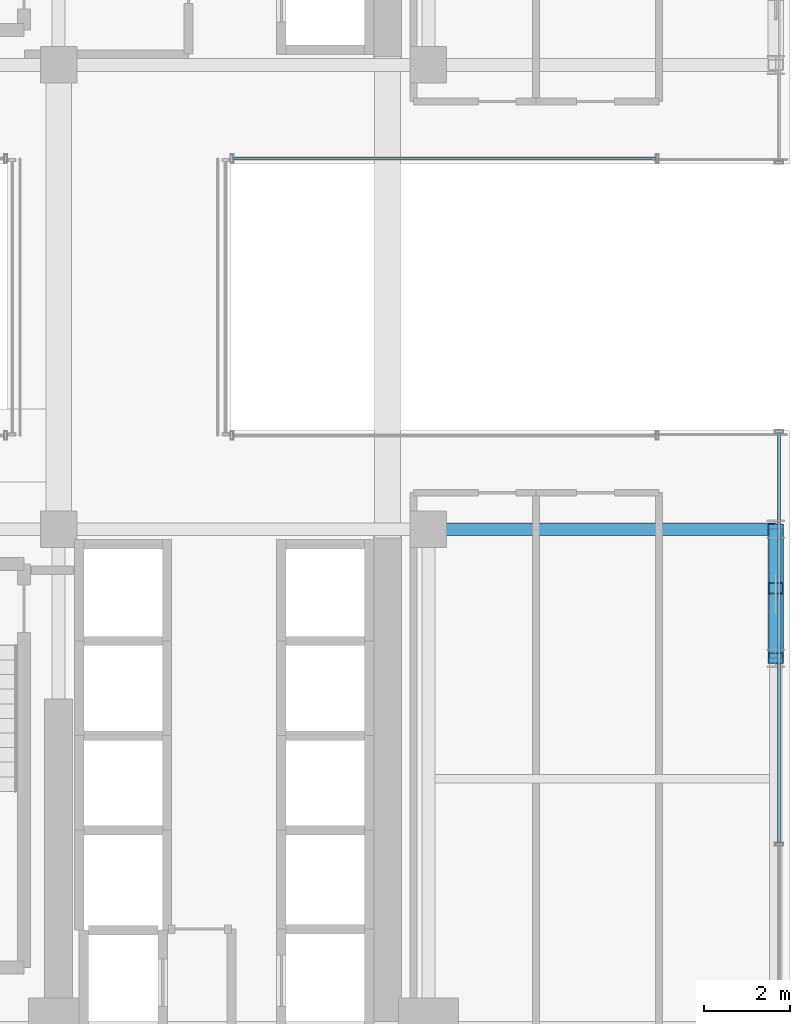
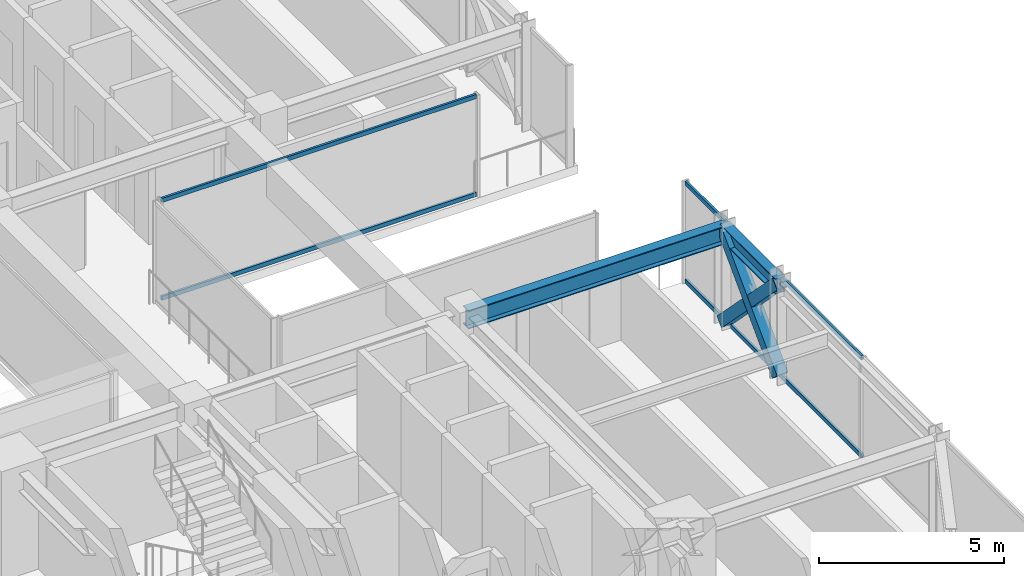
# One storey, part 22 of 42: 7 members, 2 beams, 2 elements without a shape of their own.
"""IFC4 building model written with IfcOpenShell, lengths in metres."""

from ifc_helpers import new_model, si_unit, direction, frame, origin, origin_2d, place, context, subcontext, project, spatial, hollow_rectangle, i_section, extrude, source, transform, mapped, material, material_profile, profile_set, type_object, element, aggregate, save


model = new_model("IFC4")

# Units and contexts
model_context = context("Model", 3, precision=1e-05, world=origin(), true_north=direction((0.0, 1.0)))
body_context = subcontext(model_context, "Body", "Model", "MODEL_VIEW")
ifc_project = project(units=[si_unit("LENGTHUNIT", "METRE"), si_unit("AREAUNIT", "SQUARE_METRE"), si_unit("VOLUMEUNIT", "CUBIC_METRE"), si_unit("PLANEANGLEUNIT", "RADIAN"), si_unit("MASSUNIT", "GRAM", prefix="KILO")], contexts=[model_context])

# Site, building, storey
site_placement = place(None, origin())
site = spatial("IfcSite", under=ifc_project, at=site_placement, CompositionType="ELEMENT")
building_placement = place(site_placement, origin())
building = spatial("IfcBuilding", under=site, at=building_placement, Name="Nahalor Promenade Grand Hotel", CompositionType="ELEMENT")
storey_placement = place(building_placement, frame((0.0, 0.0, 61.60009765625)))
storey = spatial("IfcBuildingStorey", under=building, at=storey_placement, Name="L14", CompositionType="ELEMENT", Elevation=61.60009765625)

# Beams
ifc_material_1 = material(Name="Steel S355JR", Category="steel")
ifc_material_profile_1 = material_profile(ifc_material_1, i_section(OverallWidth=0.3, OverallDepth=0.5, WebThickness=0.0145, FlangeThickness=0.028, at=origin_2d()), Name="HEB 500")
ifc_profile_set_1 = profile_set([ifc_material_profile_1], Name="Steel S355JR")
beam_type_1 = type_object("IfcBeamType", Name="Beam-Spandrel-HEB500", PredefinedType="SPANDREL", material=ifc_profile_set_1)
shared_shape_1 = source(origin(), body_context, "Body", "SweptSolid", [
    extrude(i_section(OverallWidth=0.3, OverallDepth=0.5, WebThickness=0.0145, FlangeThickness=0.028, at=origin_2d()), origin(), (0.0, 0.0, 1.0), 3.0),
])
beam_1_placement = place(storey_placement, frame((25.080078125, -8.39990234375, 3.119873046875), z_axis=(0.0, 1.0, 0.0), x_axis=(-1.0, 0.0, 0.0)))
element("IfcBeam", 1, at=beam_1_placement, inside=storey, type_object=beam_type_1, Name="BM-L14-SP-E-1", PredefinedType="SPANDREL", context=body_context, shape_type="MappedRepresentation", body=[
    mapped(shared_shape_1, transform((0.0, 0.0, 0.0), scale=1.0)),
])
ifc_material_profile_2 = material_profile(ifc_material_1, i_section(OverallWidth=0.3, OverallDepth=0.6, WebThickness=0.0155, FlangeThickness=0.03, at=origin_2d()), Name="HEB 600")
ifc_profile_set_2 = profile_set([ifc_material_profile_2], Name="Steel S355JR")
beam_type_2 = type_object("IfcBeamType", Name="Beam-Girder-HEB600", PredefinedType="BEAM", material=ifc_profile_set_2)
shared_shape_2 = source(origin(), body_context, "Body", "SweptSolid", [
    extrude(i_section(OverallWidth=0.3, OverallDepth=0.6, WebThickness=0.0155, FlangeThickness=0.03, at=origin_2d()), origin(), (0.0, 0.0, 1.0), 8.080078125),
])
beam_2_placement = place(storey_placement, frame((17.0, -5.39990234375, 3.06982421875), z_axis=(1.0, 0.0, 0.0), x_axis=(0.0, 1.0, 0.0)))
element("IfcBeam", 2, at=beam_2_placement, inside=storey, type_object=beam_type_2, Name="BM-L14-GX-1-6", PredefinedType="BEAM", context=body_context, shape_type="MappedRepresentation", body=[
    mapped(shared_shape_2, transform((0.0, 0.0, 0.0), scale=1.0)),
])

# Members
ifc_material_profile_3 = material_profile(ifc_material_1, hollow_rectangle(XDim=0.35, YDim=0.35, WallThickness=0.02, at=origin_2d()), Name="SHS 350x350x20")
ifc_profile_set_3 = profile_set([ifc_material_profile_3], Name="Steel S355JR")
member_type_1 = type_object("IfcMemberType", Name="Mem-VoidBrace-SHS350", PredefinedType="BRACE", material=ifc_profile_set_3)
shared_shape_3 = source(origin(), body_context, "Body", "SweptSolid", [
    extrude(hollow_rectangle(XDim=0.35, YDim=0.35, WallThickness=0.02, at=origin_2d()), origin(), (0.0, 0.0, 1.0), 4.29248046875),
])
member_1_placement = place(storey_placement, frame((25.080078125, -8.39990234375, 0.14990234375), z_axis=(0.0, 0.698897904453, 0.715221447631), x_axis=(-1.0, 0.0, 0.0)))
element("IfcMember", 3, at=member_1_placement, inside=storey, type_object=member_type_1, Name="EXO-L14-VX1-E0", PredefinedType="BRACE", context=body_context, shape_type="MappedRepresentation", body=[
    mapped(shared_shape_3, transform((0.0, 0.0, 0.0), scale=1.0)),
])
shared_shape_4 = source(origin(), body_context, "Body", "SweptSolid", [
    extrude(hollow_rectangle(XDim=0.35, YDim=0.35, WallThickness=0.02, at=origin_2d()), origin(), (0.0, 0.0, 1.0), 1.959228515625),
])
for number, where, z_axis, x_axis, name in (
    (4, (25.080078125, -5.39990234375, 0.14990234375), (0.0, -0.698960471031, 0.715160303663), (1.0, 0.0, 0.0), "EXO-L14-VX2-E0A"),
    (5, (25.080078125, -7.03076171875, 1.818603515625), (0.0, -0.698834435327, 0.715283462692), (1.0, 0.0, 0.0), "EXO-L14-VX2-E0B"),
):
    element("IfcMember", number, at=place(storey_placement, frame(where, z_axis=z_axis, x_axis=x_axis)), inside=storey, type_object=member_type_1, Name=name, PredefinedType="BRACE", context=body_context, shape_type="MappedRepresentation", body=[
        mapped(shared_shape_4, transform((0.0, 0.0, 0.0), scale=1.0)),
    ])

# Curtain wall, members
ifc_material_2 = material(Name="Anodised Bronze Aluminium EN AW-6063 T6", Category="aluminium")
curtain_wall_type = type_object("IfcCurtainWallType", Name="CW3 Elliptical-Void Collar Unitised Curtain Wall", PredefinedType="USERDEFINED", material=ifc_material_2)
curtain_wall_1_placement = place(storey_placement, origin())
curtain_wall_1 = element("IfcCurtainWall", 6, at=curtain_wall_1_placement, inside=storey, type_object=curtain_wall_type, Name="L14 Curtain Wall CW-L14-VOID-EN1", ObjectType="UNITISED_CURTAIN_WALL", PredefinedType="USERDEFINED")
ifc_material_profile_4 = material_profile(ifc_material_2, hollow_rectangle(XDim=0.07, YDim=0.14, WallThickness=0.004, at=origin_2d()), Name="CWT 70x140x4")
ifc_profile_set_4 = profile_set([ifc_material_profile_4], Name="Anodised Bronze Aluminium EN AW-6063 T6")
member_type_2 = type_object("IfcMemberType", Name="CWT3 Void Collar Transom 70x140", PredefinedType="USERDEFINED", material=ifc_profile_set_4)
shared_shape_5 = source(origin(), body_context, "Body", "SweptSolid", [
    extrude(hollow_rectangle(XDim=0.07, YDim=0.14, WallThickness=0.004, at=origin_2d()), origin(), (0.0, 0.0, 1.0), 9.820068359375),
])
member_2_placement = place(storey_placement, frame((12.469970703125, 3.219970703125, 0.06982421875), z_axis=(1.0, 0.0, 0.0), x_axis=(0.0, 1.0, 0.0)))
member_2 = element("IfcMember", 7, at=member_2_placement, type_object=member_type_2, Name="CW-L14-VOID-EN1 Transom 0-0", ObjectType="TRANSOM", PredefinedType="USERDEFINED", context=body_context, shape_type="MappedRepresentation", body=[
    mapped(shared_shape_5, transform((0.0, 0.0, 0.0), scale=1.0)),
])
member_3_placement = place(storey_placement, frame((12.469970703125, 3.219970703125, 3.2998046875), z_axis=(1.0, 0.0, 0.0), x_axis=(0.0, 1.0, 0.0)))
member_3 = element("IfcMember", 8, at=member_3_placement, type_object=member_type_2, Name="CW-L14-VOID-EN1 Transom 0-1", ObjectType="TRANSOM", PredefinedType="USERDEFINED", context=body_context, shape_type="MappedRepresentation", body=[
    mapped(shared_shape_5, transform((0.0, 0.0, 0.0), scale=1.0)),
])
aggregate(curtain_wall_1, [member_2, member_3])

curtain_wall_2_placement = place(storey_placement, origin())
curtain_wall_2 = element("IfcCurtainWall", 9, at=curtain_wall_2_placement, inside=storey, type_object=curtain_wall_type, Name="L14 Curtain Wall CW-L14-E-1", ObjectType="UNITISED_CURTAIN_WALL", PredefinedType="USERDEFINED")
shared_shape_6 = source(origin(), body_context, "Body", "SweptSolid", [
    extrude(hollow_rectangle(XDim=0.07, YDim=0.14, WallThickness=0.004, at=origin_2d()), origin(), (0.0, 0.0, 1.0), 9.525146484375),
])
member_4_placement = place(storey_placement, frame((25.159912109375, -12.695068359375, 0.06982421875), z_axis=(0.0, 1.0, 0.0), x_axis=(-1.0, 0.0, 0.0)))
member_4 = element("IfcMember", 10, at=member_4_placement, type_object=member_type_2, Name="CW-L14-E-1 Transom 1-0", ObjectType="TRANSOM", PredefinedType="USERDEFINED", context=body_context, shape_type="MappedRepresentation", body=[
    mapped(shared_shape_6, transform((0.0, 0.0, 0.0), scale=1.0)),
])
member_5_placement = place(storey_placement, frame((25.159912109375, -12.695068359375, 3.2998046875), z_axis=(0.0, 1.0, 0.0), x_axis=(-1.0, 0.0, 0.0)))
member_5 = element("IfcMember", 11, at=member_5_placement, type_object=member_type_2, Name="CW-L14-E-1 Transom 1-1", ObjectType="TRANSOM", PredefinedType="USERDEFINED", context=body_context, shape_type="MappedRepresentation", body=[
    mapped(shared_shape_6, transform((0.0, 0.0, 0.0), scale=1.0)),
])
aggregate(curtain_wall_2, [member_4, member_5])

save(model, "model.ifc")
